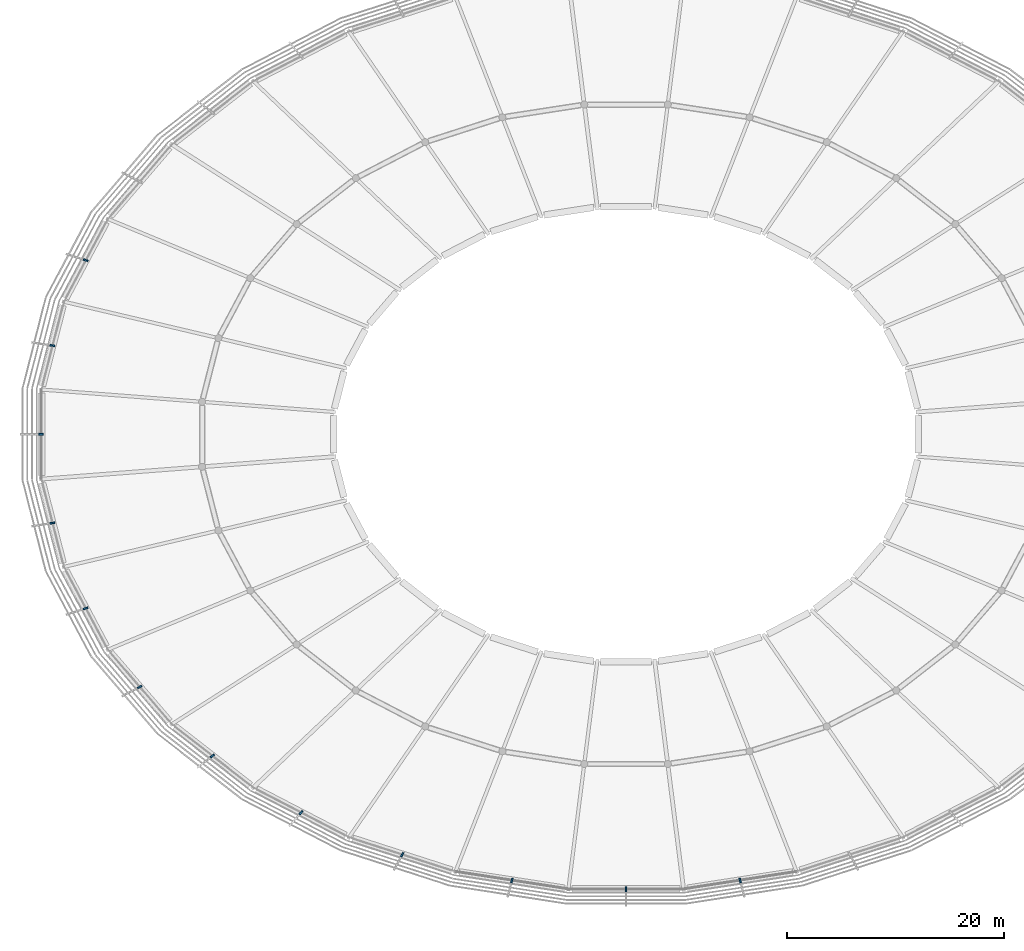
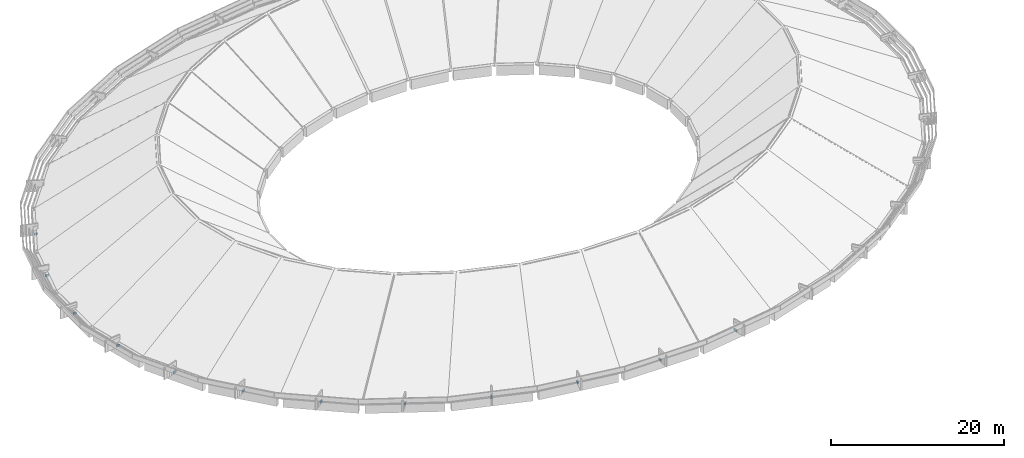
# One storey, part 12 of 15: 12 discrete accessories.
"""IFC4 building model written with IfcOpenShell, lengths in metres."""

from ifc_helpers import new_model, si_unit, direction, frame, origin, origin_2d, place, context, subcontext, project, spatial, rectangle, extrude, material, type_object, element, save


model = new_model("IFC4")

# Units and contexts
model_context = context("Model", 3, precision=1e-05, world=origin(), true_north=direction((0.0, 1.0)))
body_context = subcontext(model_context, "Body", "Model", "MODEL_VIEW")
ifc_project = project(units=[si_unit("LENGTHUNIT", "METRE"), si_unit("AREAUNIT", "SQUARE_METRE"), si_unit("VOLUMEUNIT", "CUBIC_METRE"), si_unit("PLANEANGLEUNIT", "RADIAN"), si_unit("MASSUNIT", "GRAM", prefix="KILO")], contexts=[model_context])

# Site, building, storey
site_placement = place(None, origin())
site = spatial("IfcSite", under=ifc_project, at=site_placement, CompositionType="ELEMENT")
building_placement = place(site_placement, origin())
building = spatial("IfcBuilding", under=site, at=building_placement, Name="Corvandel Quay Wholesale Market", CompositionType="ELEMENT")
storey_placement = place(building_placement, frame((0.0, 0.0, 19.199951171875)))
storey = spatial("IfcBuildingStorey", under=building, at=storey_placement, Name="RF", CompositionType="ELEMENT", Elevation=19.199951171875)

# Discrete accessories
ifc_material = material(Name="Austenitic stainless steel Grade 316", Category="steel")
discrete_accessory_type = type_object("IfcDiscreteAccessoryType", Name="Stainless Solar Fin Fixing Bracket BRK01", PredefinedType="USERDEFINED", material=ifc_material)
for number, where, z_axis, x_axis, name in (
    (1, (64.091552734375, 58.07861328125, -4.85009765625), (0.0, 0.0, 1.0), (-0.951808747363, 0.306692204733, 0.0), "Fascia Outrigger Bracket 0271"),
    (2, (61.017578125, 50.197021484375, -4.85009765625), (0.0, 0.0, 1.0), (-0.98825506746, 0.152813355565, 0.0), "Fascia Outrigger Bracket 0272"),
    (3, (59.97998046875, 42.0, -4.85009765625), (0.0, 0.0, 1.0), (1.0, 0.0, 0.0), "Fascia Outrigger Bracket 0273"),
    (4, (61.017578125, 33.802978515625, -4.85009765625), (0.0, 0.0, 1.0), (0.98825506746, 0.152813355565, 0.0), "Fascia Outrigger Bracket 0274"),
    (5, (64.091552734375, 25.92138671875, -4.85009765625), (0.0, 0.0, 1.0), (0.951808747363, 0.306692204733, 0.0), "Fascia Outrigger Bracket 0275"),
    (6, (69.082763671875, 18.6572265625, -4.85009765625), (0.0, 0.0, 1.0), (0.887332978338, 0.461129250378, 0.0), "Fascia Outrigger Bracket 0276"),
    (7, (75.80029296875, 12.289306640625, -4.85009765625), (0.0, 0.0, 1.0), (0.789405615633, 0.613871952452, 0.0), "Fascia Outrigger Bracket 0277"),
    (8, (83.986083984375, 7.062744140625, -4.85009765625), (0.0, 0.0, 1.0), (0.65170135625, 0.758475670184, 0.0), "Fascia Outrigger Bracket 0278"),
    (9, (93.32568359375, 3.17919921875, -4.85009765625), (0.0, 0.0, 1.0), (0.470087862033, 0.882619624736, 0.0), "Fascia Outrigger Bracket 0279"),
    (10, (103.4599609375, 0.78759765625, -4.85009765625), (0.0, 0.0, 1.0), (0.247844544316, 0.968799815159, 0.0), "Fascia Outrigger Bracket 0280"),
    (11, (114.0, -0.02001953125, -4.85009765625), (0.0, 0.0, 1.0), (0.0, 1.0, 0.0), "Fascia Outrigger Bracket 0281"),
    (12, (124.5400390625, 0.78759765625, -4.85009765625), (0.0, 0.0, 1.0), (-0.247844544316, 0.968799815159, 0.0), "Fascia Outrigger Bracket 0282"),
):
    element("IfcDiscreteAccessory", number, at=place(storey_placement, frame(where, z_axis=z_axis, x_axis=x_axis)), inside=storey, type_object=discrete_accessory_type, Name=name, ObjectType="BRACKET", PredefinedType="USERDEFINED", context=body_context, shape_type="SweptSolid", body=[
        extrude(rectangle(XDim=0.43994140625, YDim=0.159912109375, at=origin_2d()), origin(), (0.0, 0.0, 1.0), 0.280029296875),
    ])

save(model, "model.ifc")
